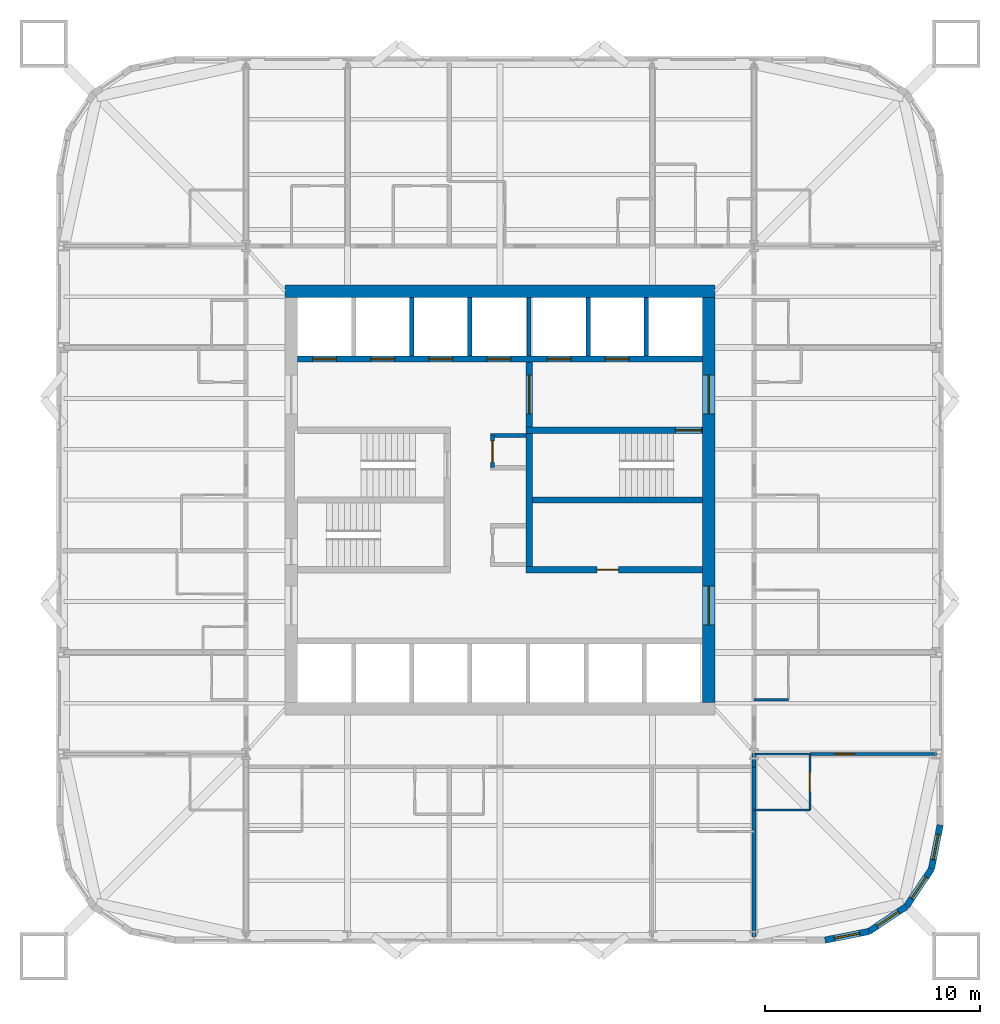
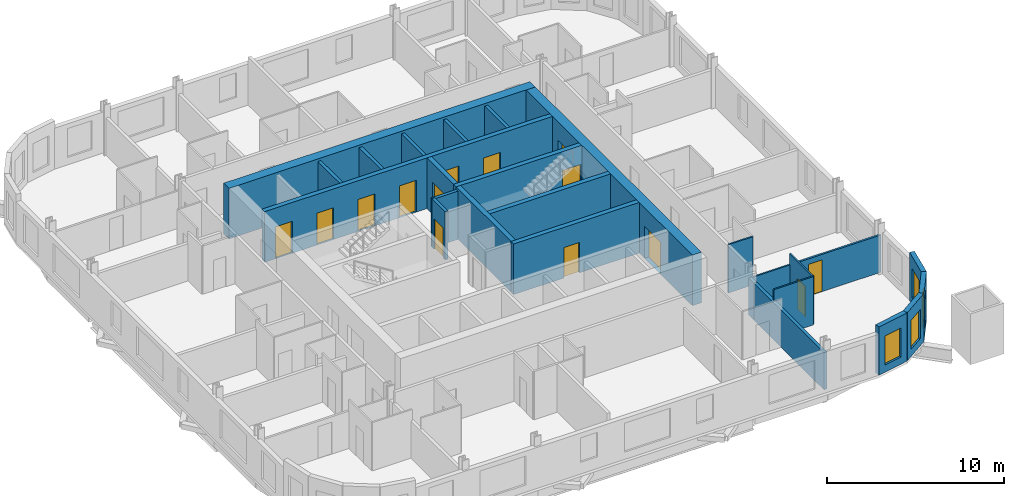
# One storey, part 5 of 9: 25 walls, 14 doors, 4 windows, 18 openings.
"""IFC4 building model written with IfcOpenShell, lengths in metres."""

import ifcopenshell
import ifcopenshell.guid

model = None  # the IFC model being written
_history = None  # IfcOwnerHistory: only IFC2X3 demands one
_inside = {}  # id of a spatial element -> (the spatial element, [elements in it])
_under = {}  # id of a project, library or spatial element -> (it, [spatial elements below it])
_declared = {}  # id of a project -> (the project, [libraries it declares])
_typed = {}  # id of a type object -> (the type object, [elements of that type])
_made_of = {}  # id of a material, layer set ... -> (it, [elements and type objects made of it])


def new_model(schema):
    """Start an empty IFC model of exactly this schema.

    Asked for "IFC4X3", IfcOpenShell would pick the latest addendum, in which some entities
    have other attributes; the version numbers below select the first issue.
    IFC2X3 requires an IfcOwnerHistory on every rooted entity: one is made here for all.
    """
    global model, _history
    if schema == "IFC4X3":
        model = ifcopenshell.file(schema_version=(4, 3, 0, 0))
    else:
        model = ifcopenshell.file(schema=schema)
    _inside.clear()
    _under.clear()
    _declared.clear()
    _typed.clear()
    _made_of.clear()
    _history = None
    if model.schema == "IFC2X3":
        org = make("IfcOrganization", Name="unknown")
        user = make(
            "IfcPersonAndOrganization",
            ThePerson=make("IfcPerson", FamilyName="unknown"),
            TheOrganization=org,
        )
        app = make(
            "IfcApplication",
            ApplicationDeveloper=org,
            Version="unknown",
            ApplicationFullName="unknown",
            ApplicationIdentifier="unknown",
        )
        _history = make(
            "IfcOwnerHistory",
            OwningUser=user,
            OwningApplication=app,
            ChangeAction="ADDED",
            CreationDate=0,
        )
    return model


def make(cls, **values):
    """One entity of the class cls with the attributes given. An attribute that is None is left unset."""
    return model.create_entity(
        cls, **{name: value for name, value in values.items() if value is not None}
    )


def rooted(cls, **values):
    """An entity with a GlobalId (a new one), such as an element, a storey or a relation."""
    return make(cls, GlobalId=ifcopenshell.guid.new(), OwnerHistory=_history, **values)


def si_unit(unit_type, name, prefix=None):
    """IfcSIUnit, for example si_unit("LENGTHUNIT", "METRE", prefix="MILLI")."""
    return make("IfcSIUnit", UnitType=unit_type, Prefix=prefix, Name=name)


def assignment(units):
    """IfcUnitAssignment: the units of a project."""
    return None if units is None else make("IfcUnitAssignment", Units=units)


def point(xyz):
    """IfcCartesianPoint."""
    return None if xyz is None else make("IfcCartesianPoint", Coordinates=xyz)


def direction(xyz):
    """IfcDirection."""
    return None if xyz is None else make("IfcDirection", DirectionRatios=xyz)


def frame(location, z_axis=None, x_axis=None):
    """IfcAxis2Placement3D, a coordinate frame: its origin and axes. An axis left out is left unset."""
    return make(
        "IfcAxis2Placement3D",
        Location=point(location),
        Axis=direction(z_axis),
        RefDirection=direction(x_axis),
    )


def frame_2d(location, x_axis=None):
    """IfcAxis2Placement2D, a coordinate frame in the plane: its origin and x axis."""
    return make(
        "IfcAxis2Placement2D", Location=point(location), RefDirection=direction(x_axis)
    )


def origin():
    """The frame at (0, 0, 0) with its axes left unset."""
    return frame((0.0, 0.0, 0.0))


def place(relative_to, where):
    """IfcLocalPlacement: puts the frame where relative to a parent placement (None: the world)."""
    return make(
        "IfcLocalPlacement", PlacementRelTo=relative_to, RelativePlacement=where
    )


def context(
    kind, dimensions, precision=None, world=None, true_north=None, identifier=None
):
    """IfcGeometricRepresentationContext, for example the 3D "Model" context."""
    return make(
        "IfcGeometricRepresentationContext",
        ContextIdentifier=identifier,
        ContextType=kind,
        CoordinateSpaceDimension=dimensions,
        Precision=precision,
        WorldCoordinateSystem=world,
        TrueNorth=true_north,
    )


def subcontext(parent, identifier, kind, view, scale=None):
    """IfcGeometricRepresentationSubContext, for example "Body" below "Model"."""
    return make(
        "IfcGeometricRepresentationSubContext",
        ContextIdentifier=identifier,
        ContextType=kind,
        ParentContext=parent,
        TargetScale=scale,
        TargetView=view,
    )


def project(units=None, contexts=None):
    """IfcProject with its units and contexts."""
    return rooted(
        "IfcProject",
        Name="project",
        RepresentationContexts=contexts,
        UnitsInContext=assignment(units),
    )


def spatial(cls, under=None, at=None, **own):
    """A site, building, storey or space (cls), placed at a placement, below another one or the project."""
    s = rooted(cls, ObjectPlacement=at, **own)
    if under is not None:
        _under.setdefault(under.id(), (under, []))[1].append(s)
    return s


def profile(cls, at=None, kind="AREA", **sizes):
    """A parametric profile (cls). Its sizes go by their IFC names, for example OverallWidth=200.0."""
    return make(cls, ProfileType=kind, Position=at, **sizes)


def rectangle(**sizes):
    """IfcRectangleProfileDef."""
    return profile("IfcRectangleProfileDef", **sizes)


def extrude(swept, where, along, depth):
    """IfcExtrudedAreaSolid: the profile swept, set in the frame where, extruded along a direction by depth."""
    return make(
        "IfcExtrudedAreaSolid",
        SweptArea=swept,
        Position=where,
        ExtrudedDirection=direction(along),
        Depth=depth,
    )


def shape(context_of_items, identifier, shape_type, items):
    """IfcShapeRepresentation: the items that make up one representation, for example the "Body"."""
    return make(
        "IfcShapeRepresentation",
        ContextOfItems=context_of_items,
        RepresentationIdentifier=identifier,
        RepresentationType=shape_type,
        Items=items,
    )


def material(Name=None, Category=None):
    """IfcMaterial."""
    return make("IfcMaterial", Name=Name, Category=Category)


def layer(
    of_material, thickness, ventilated=None, Name=None, Category=None, Priority=None
):
    """IfcMaterialLayer: one layer of a wall or slab, of a material (None: an air gap)."""
    return make(
        "IfcMaterialLayer",
        Material=of_material,
        LayerThickness=thickness,
        IsVentilated=ventilated,
        Name=Name,
        Category=Category,
        Priority=Priority,
    )


def layer_set(layers, Name=None):
    """IfcMaterialLayerSet."""
    return make("IfcMaterialLayerSet", MaterialLayers=layers, LayerSetName=Name)


def made_of(thing, what):
    """Note that an element or type object is made of a material, layer set ...; save() writes the relation."""
    if what is not None:
        _made_of.setdefault(what.id(), (what, []))[1].append(thing)
    return thing


def type_object(cls, material=None, **own):
    """A type object (cls), such as IfcWallType, which elements share."""
    return made_of(rooted(cls, **own), material)


def element(
    cls,
    number,
    at=None,
    inside=None,
    cuts=None,
    type_object=None,
    material=None,
    context=None,
    identifier="Body",
    shape_type=None,
    held_by="IfcProductDefinitionShape",
    body=None,
    shapes=None,
    **own,
):
    """One element of the class cls, such as IfcWall. Its Tag is "e" and its number.

    at: its placement. inside: the storey or other place that contains it. cuts: it is an
    opening in that element (IfcRelVoidsElement). A single representation is given by context,
    identifier, shape_type and body (its items); several are given by shapes. held_by: the class
    of the entity that holds the representations. save() writes the other relations.
    """
    e = rooted(cls, Tag="e%d" % number, ObjectPlacement=at, **own)
    if body is not None:
        shapes = [shape(context, identifier, shape_type, body)]
    if shapes is not None:
        e.Representation = make(held_by, Representations=shapes)
    if inside is not None:
        _inside.setdefault(inside.id(), (inside, []))[1].append(e)
    if cuts is not None:
        rooted(
            "IfcRelVoidsElement", RelatingBuildingElement=cuts, RelatedOpeningElement=e
        )
    if type_object is not None:
        _typed.setdefault(type_object.id(), (type_object, []))[1].append(e)
    return made_of(e, material)


def fill(opening, filler):
    """IfcRelFillsElement: the door or window that sits in an opening."""
    return rooted(
        "IfcRelFillsElement",
        RelatingOpeningElement=opening,
        RelatedBuildingElement=filler,
    )


def aggregate(whole, parts):
    """IfcRelAggregates: a whole, such as a stair, and the parts it consists of."""
    return rooted("IfcRelAggregates", RelatingObject=whole, RelatedObjects=parts)


def save(model, path):
    """Write the relations noted so far, then the file.

    IfcRelAggregates (storeys below a building ...), IfcRelContainedInSpatialStructure (elements
    in a storey), IfcRelDefinesByType, IfcRelAssociatesMaterial and IfcRelDeclares: one each for
    every whole, place, type object, material and project.
    """
    for whole, parts in _under.values():
        aggregate(whole, parts)
    for where, things in _inside.values():
        rooted(
            "IfcRelContainedInSpatialStructure",
            RelatedElements=things,
            RelatingStructure=where,
        )
    for kind, things in _typed.values():
        rooted("IfcRelDefinesByType", RelatedObjects=things, RelatingType=kind)
    for what, things in _made_of.values():
        rooted("IfcRelAssociatesMaterial", RelatedObjects=things, RelatingMaterial=what)
    for by, libraries in _declared.values():
        rooted("IfcRelDeclares", RelatingContext=by, RelatedDefinitions=libraries)
    model.write(path)


model = new_model("IFC4")

# Units and contexts
model_context = context("Model", 3, precision=1e-05, world=origin(), true_north=direction((0.0, 1.0)))
body_context = subcontext(model_context, "Body", "Model", "MODEL_VIEW")
ifc_project = project(units=[si_unit("LENGTHUNIT", "METRE"), si_unit("AREAUNIT", "SQUARE_METRE"), si_unit("VOLUMEUNIT", "CUBIC_METRE"), si_unit("PLANEANGLEUNIT", "RADIAN"), si_unit("MASSUNIT", "GRAM", prefix="KILO")], contexts=[model_context])

# Site, building, storey
site_placement = place(None, origin())
site = spatial("IfcSite", under=ifc_project, at=site_placement, CompositionType="ELEMENT")
building_placement = place(site_placement, origin())
building = spatial("IfcBuilding", under=site, at=building_placement, Name="Turquesa Mirador Hotel Tower", CompositionType="ELEMENT")
storey_placement = place(building_placement, frame((0.0, 0.0, 131.89990234375)))
storey = spatial("IfcBuildingStorey", under=building, at=storey_placement, Name="L35", CompositionType="ELEMENT", Elevation=131.89990234375)

# Walls
ifc_material_1 = material(Name="Gypsum board on steel studs", Category="steel")
ifc_layer_1 = layer(ifc_material_1, 0.10009765625)
ifc_layer_set_1 = layer_set([ifc_layer_1], Name="BATHROOM WALL 100")
wall_type_1 = type_object("IfcWallType", Name="BATHROOM WALL 100", PredefinedType="PARTITIONING", material=ifc_layer_set_1)
wall_1_placement = place(storey_placement, frame((66.800048828125, 33.199951171875, 0.0), z_axis=(0.0, 0.0, 1.0), x_axis=(1.0, 0.0, 0.0)))
element("IfcWall", 1, at=wall_1_placement, inside=storey, type_object=wall_type_1, Name="Partition L35 002", PredefinedType="PARTITIONING", context=body_context, shape_type="SweptSolid", body=[
    extrude(rectangle(XDim=2.599853515625, YDim=0.10009765625, at=frame_2d((1.2998046875, 0.0))), origin(), (0.0, 0.0, 1.0), 2.5732421875),
])
wall_2_placement = place(storey_placement, frame((66.800048828125, 30.60009765625, 0.0), z_axis=(0.0, 0.0, 1.0), x_axis=(1.0, 0.0, 0.0)))
element("IfcWall", 2, at=wall_2_placement, inside=storey, type_object=wall_type_1, Name="Partition L35 007", PredefinedType="PARTITIONING", context=body_context, shape_type="SweptSolid", body=[
    extrude(rectangle(XDim=2.599853515625, YDim=0.10009765625, at=frame_2d((1.2998046875, 0.0))), origin(), (0.0, 0.0, 1.0), 3.330078125),
])
wall_3_placement = place(storey_placement, frame((66.800048828125, 35.719970703125, 0.0), z_axis=(0.0, 0.0, 1.0), x_axis=(1.0, 0.0, 0.0)))
element("IfcWall", 3, at=wall_3_placement, inside=storey, type_object=wall_type_1, Name="Partition L35 021", PredefinedType="PARTITIONING", context=body_context, shape_type="SweptSolid", body=[
    extrude(rectangle(XDim=1.599853515625, YDim=0.10009765625, at=frame_2d((0.7998046875, 0.0))), origin(), (0.0, 0.0, 1.0), 3.330078125),
])

# Wall, opening, door
wall_4_placement = place(storey_placement, frame((69.39990234375, 30.60009765625, 0.0), z_axis=(0.0, 0.0, 1.0), x_axis=(0.0, 1.0, 0.0)))
wall_4 = element("IfcWall", 4, at=wall_4_placement, inside=storey, type_object=wall_type_1, Name="Partition L35 071", PredefinedType="PARTITIONING", context=body_context, shape_type="SweptSolid", body=[
    extrude(rectangle(XDim=2.599853515625, YDim=0.10009765625, at=frame_2d((1.2998046875, 0.0))), origin(), (0.0, 0.0, 1.0), 3.330078125),
])
opening_1_placement = place(wall_4_placement, frame((0.85009765625, 0.0, 0.0)))
opening_1 = element("IfcOpeningElement", 5, at=opening_1_placement, cuts=wall_4, Name="Opening D02", PredefinedType="OPENING", context=body_context, shape_type="SweptSolid", body=[
    extrude(rectangle(XDim=0.89990234375, YDim=2.10009765625, at=frame_2d((0.449951171875, 1.050048828125))), frame((0.0, 0.06005859375, 0.0), z_axis=(0.0, -1.0, 0.0), x_axis=(1.0, 0.0, 0.0)), (0.0, 0.0, 1.0), 0.1201171875),
])
ifc_material_2 = material(Name="Timber veneered door", Category="wood")
door_type_1 = type_object("IfcDoorType", Name="DOOR 900X2100 EN-SUITE", OperationType="SINGLE_SWING_RIGHT", PredefinedType="DOOR", material=ifc_material_2)
door_1_placement = place(opening_1_placement, origin())
door_1 = element("IfcDoor", 6, at=door_1_placement, inside=storey, type_object=door_type_1, Name="Door 3514B", OperationType="SINGLE_SWING_RIGHT", OverallHeight=2.10009765625, OverallWidth=0.89990234375, PredefinedType="DOOR", context=body_context, shape_type="SweptSolid", body=[
    extrude(rectangle(XDim=0.89990234375, YDim=2.10009765625, at=frame_2d((0.449951171875, 1.050048828125))), frame((0.0, 0.02490234375, 0.0), z_axis=(0.0, -1.0, 0.0), x_axis=(1.0, 0.0, 0.0)), (0.0, 0.0, 1.0), 0.050048828125),
])
fill(opening_1, door_1)

# Wall, openings, doors
ifc_material_3 = material(Name="Concrete C50/60", Category="concrete")
ifc_layer_2 = layer(ifc_material_3, 0.300048828125)
ifc_layer_set_2 = layer_set([ifc_layer_2], Name="CORE INNER WALL 300")
wall_type_2 = type_object("IfcWallType", Name="CORE INNER WALL 300", PredefinedType="SHEAR", material=ifc_layer_set_2)
wall_5_placement = place(storey_placement, frame((45.60009765625, 51.550048828125, 0.0), z_axis=(0.0, 0.0, 1.0), x_axis=(1.0, 0.0, 0.0)))
wall_5 = element("IfcWall", 7, at=wall_5_placement, inside=storey, type_object=wall_type_2, Name="Core wall NL", PredefinedType="SHEAR", context=body_context, shape_type="SweptSolid", body=[
    extrude(rectangle(XDim=18.7998046875, YDim=0.300048828125, at=frame_2d((9.39990234375, 0.0))), origin(), (0.0, 0.0, 1.0), 3.5),
])
opening_2_placement = place(wall_5_placement, frame((0.699951171875, 0.0, 0.0)))
opening_2 = element("IfcOpeningElement", 8, at=opening_2_placement, cuts=wall_5, Name="Opening LD", PredefinedType="OPENING", context=body_context, shape_type="SweptSolid", body=[
    extrude(rectangle(XDim=1.10009765625, YDim=2.199951171875, at=frame_2d((0.550048828125, 1.10009765625))), frame((0.0, 0.159912109375, 0.0), z_axis=(0.0, -1.0, 0.0), x_axis=(1.0, 0.0, 0.0)), (0.0, 0.0, 1.0), 0.320068359375),
])
opening_3_placement = place(wall_5_placement, frame((3.39990234375, 0.0, 0.0)))
opening_3 = element("IfcOpeningElement", 9, at=opening_3_placement, cuts=wall_5, Name="Opening LD", PredefinedType="OPENING", context=body_context, shape_type="SweptSolid", body=[
    extrude(rectangle(XDim=1.10009765625, YDim=2.199951171875, at=frame_2d((0.550048828125, 1.10009765625))), frame((0.0, 0.159912109375, 0.0), z_axis=(0.0, -1.0, 0.0), x_axis=(1.0, 0.0, 0.0)), (0.0, 0.0, 1.0), 0.320068359375),
])
opening_4_placement = place(wall_5_placement, frame((6.10009765625, 0.0, 0.0)))
opening_4 = element("IfcOpeningElement", 10, at=opening_4_placement, cuts=wall_5, Name="Opening LD", PredefinedType="OPENING", context=body_context, shape_type="SweptSolid", body=[
    extrude(rectangle(XDim=1.10009765625, YDim=2.199951171875, at=frame_2d((0.550048828125, 1.10009765625))), frame((0.0, 0.159912109375, 0.0), z_axis=(0.0, -1.0, 0.0), x_axis=(1.0, 0.0, 0.0)), (0.0, 0.0, 1.0), 0.320068359375),
])
opening_5_placement = place(wall_5_placement, frame((8.800048828125, 0.0, 0.0)))
opening_5 = element("IfcOpeningElement", 11, at=opening_5_placement, cuts=wall_5, Name="Opening LD", PredefinedType="OPENING", context=body_context, shape_type="SweptSolid", body=[
    extrude(rectangle(XDim=1.10009765625, YDim=2.199951171875, at=frame_2d((0.550048828125, 1.10009765625))), frame((0.0, 0.159912109375, 0.0), z_axis=(0.0, -1.0, 0.0), x_axis=(1.0, 0.0, 0.0)), (0.0, 0.0, 1.0), 0.320068359375),
])
opening_6_placement = place(wall_5_placement, frame((11.60009765625, 0.0, 0.0)))
opening_6 = element("IfcOpeningElement", 12, at=opening_6_placement, cuts=wall_5, Name="Opening LD", PredefinedType="OPENING", context=body_context, shape_type="SweptSolid", body=[
    extrude(rectangle(XDim=1.10009765625, YDim=2.199951171875, at=frame_2d((0.550048828125, 1.10009765625))), frame((0.0, 0.159912109375, 0.0), z_axis=(0.0, -1.0, 0.0), x_axis=(1.0, 0.0, 0.0)), (0.0, 0.0, 1.0), 0.320068359375),
])
opening_7_placement = place(wall_5_placement, frame((14.300048828125, 0.0, 0.0)))
opening_7 = element("IfcOpeningElement", 13, at=opening_7_placement, cuts=wall_5, Name="Opening LD", PredefinedType="OPENING", context=body_context, shape_type="SweptSolid", body=[
    extrude(rectangle(XDim=1.10009765625, YDim=2.199951171875, at=frame_2d((0.550048828125, 1.10009765625))), frame((0.0, 0.159912109375, 0.0), z_axis=(0.0, -1.0, 0.0), x_axis=(1.0, 0.0, 0.0)), (0.0, 0.0, 1.0), 0.320068359375),
])
ifc_material_4 = material(Name="Stainless steel lift landing door", Category="steel")
door_type_2 = type_object("IfcDoorType", Name="LIFT LANDING DOOR 1100X2200", OperationType="SLIDING_TO_LEFT", PredefinedType="DOOR", material=ifc_material_4)
door_2_placement = place(opening_2_placement, origin())
door_2 = element("IfcDoor", 14, at=door_2_placement, inside=storey, type_object=door_type_2, Name="Lift A1 landing door", OperationType="SLIDING_TO_LEFT", OverallHeight=2.199951171875, OverallWidth=1.10009765625, PredefinedType="DOOR", context=body_context, shape_type="SweptSolid", body=[
    extrude(rectangle(XDim=1.10009765625, YDim=2.199951171875, at=frame_2d((0.550048828125, 1.10009765625))), frame((0.0, 0.02490234375, 0.0), z_axis=(0.0, -1.0, 0.0), x_axis=(1.0, 0.0, 0.0)), (0.0, 0.0, 1.0), 0.050048828125),
])
fill(opening_2, door_2)
door_3_placement = place(opening_3_placement, origin())
door_3 = element("IfcDoor", 15, at=door_3_placement, inside=storey, type_object=door_type_2, Name="Lift A2 landing door", OperationType="SLIDING_TO_LEFT", OverallHeight=2.199951171875, OverallWidth=1.10009765625, PredefinedType="DOOR", context=body_context, shape_type="SweptSolid", body=[
    extrude(rectangle(XDim=1.10009765625, YDim=2.199951171875, at=frame_2d((0.550048828125, 1.10009765625))), frame((0.0, 0.02490234375, 0.0), z_axis=(0.0, -1.0, 0.0), x_axis=(1.0, 0.0, 0.0)), (0.0, 0.0, 1.0), 0.050048828125),
])
fill(opening_3, door_3)
door_4_placement = place(opening_4_placement, origin())
door_4 = element("IfcDoor", 16, at=door_4_placement, inside=storey, type_object=door_type_2, Name="Lift A3 landing door", OperationType="SLIDING_TO_LEFT", OverallHeight=2.199951171875, OverallWidth=1.10009765625, PredefinedType="DOOR", context=body_context, shape_type="SweptSolid", body=[
    extrude(rectangle(XDim=1.10009765625, YDim=2.199951171875, at=frame_2d((0.550048828125, 1.10009765625))), frame((0.0, 0.02490234375, 0.0), z_axis=(0.0, -1.0, 0.0), x_axis=(1.0, 0.0, 0.0)), (0.0, 0.0, 1.0), 0.050048828125),
])
fill(opening_4, door_4)
door_5_placement = place(opening_5_placement, origin())
door_5 = element("IfcDoor", 17, at=door_5_placement, inside=storey, type_object=door_type_2, Name="Lift A4 landing door", OperationType="SLIDING_TO_LEFT", OverallHeight=2.199951171875, OverallWidth=1.10009765625, PredefinedType="DOOR", context=body_context, shape_type="SweptSolid", body=[
    extrude(rectangle(XDim=1.10009765625, YDim=2.199951171875, at=frame_2d((0.550048828125, 1.10009765625))), frame((0.0, 0.02490234375, 0.0), z_axis=(0.0, -1.0, 0.0), x_axis=(1.0, 0.0, 0.0)), (0.0, 0.0, 1.0), 0.050048828125),
])
fill(opening_5, door_5)
door_6_placement = place(opening_6_placement, origin())
door_6 = element("IfcDoor", 18, at=door_6_placement, inside=storey, type_object=door_type_2, Name="Lift S1 landing door", OperationType="SLIDING_TO_LEFT", OverallHeight=2.199951171875, OverallWidth=1.10009765625, PredefinedType="DOOR", context=body_context, shape_type="SweptSolid", body=[
    extrude(rectangle(XDim=1.10009765625, YDim=2.199951171875, at=frame_2d((0.550048828125, 1.10009765625))), frame((0.0, 0.02490234375, 0.0), z_axis=(0.0, -1.0, 0.0), x_axis=(1.0, 0.0, 0.0)), (0.0, 0.0, 1.0), 0.050048828125),
])
fill(opening_6, door_6)
door_7_placement = place(opening_7_placement, origin())
door_7 = element("IfcDoor", 19, at=door_7_placement, inside=storey, type_object=door_type_2, Name="Lift S2 landing door", OperationType="SLIDING_TO_LEFT", OverallHeight=2.199951171875, OverallWidth=1.10009765625, PredefinedType="DOOR", context=body_context, shape_type="SweptSolid", body=[
    extrude(rectangle(XDim=1.10009765625, YDim=2.199951171875, at=frame_2d((0.550048828125, 1.10009765625))), frame((0.0, 0.02490234375, 0.0), z_axis=(0.0, -1.0, 0.0), x_axis=(1.0, 0.0, 0.0)), (0.0, 0.0, 1.0), 0.050048828125),
])
fill(opening_7, door_7)

# Wall, opening, door
wall_6_placement = place(storey_placement, frame((56.199951171875, 48.25, 0.0), z_axis=(0.0, 0.0, 1.0), x_axis=(1.0, 0.0, 0.0)))
wall_6 = element("IfcWall", 20, at=wall_6_placement, inside=storey, type_object=wall_type_2, Name="Core wall MN-E", PredefinedType="SHEAR", context=body_context, shape_type="SweptSolid", body=[
    extrude(rectangle(XDim=8.199951171875, YDim=0.300048828125, at=frame_2d((4.10009765625, 0.0))), origin(), (0.0, 0.0, 1.0), 3.5),
])
opening_8_placement = place(wall_6_placement, frame((6.949951171875, 0.0, 0.0)))
opening_8 = element("IfcOpeningElement", 21, at=opening_8_placement, cuts=wall_6, Name="Opening D03", PredefinedType="OPENING", context=body_context, shape_type="SweptSolid", body=[
    extrude(rectangle(XDim=1.199951171875, YDim=2.199951171875, at=frame_2d((0.60009765625, 1.10009765625))), frame((0.0, 0.159912109375, 0.0), z_axis=(0.0, -1.0, 0.0), x_axis=(1.0, 0.0, 0.0)), (0.0, 0.0, 1.0), 0.320068359375),
])
ifc_material_5 = material(Name="Steel fire door", Category="steel")
door_type_3 = type_object("IfcDoorType", Name="DOOR 1200X2200 STAIR", OperationType="SINGLE_SWING_LEFT", PredefinedType="DOOR", material=ifc_material_5)
door_8_placement = place(opening_8_placement, origin())
door_8 = element("IfcDoor", 22, at=door_8_placement, inside=storey, type_object=door_type_3, Name="Stair ST3 door", OperationType="SINGLE_SWING_LEFT", OverallHeight=2.199951171875, OverallWidth=1.199951171875, PredefinedType="DOOR", context=body_context, shape_type="SweptSolid", body=[
    extrude(rectangle(XDim=1.199951171875, YDim=2.199951171875, at=frame_2d((0.60009765625, 1.10009765625))), frame((0.0, 0.02490234375, 0.0), z_axis=(0.0, -1.0, 0.0), x_axis=(1.0, 0.0, 0.0)), (0.0, 0.0, 1.0), 0.050048828125),
])
fill(opening_8, door_8)

wall_7_placement = place(storey_placement, frame((56.199951171875, 41.75, 0.0), z_axis=(0.0, 0.0, 1.0), x_axis=(1.0, 0.0, 0.0)))
wall_7 = element("IfcWall", 23, at=wall_7_placement, inside=storey, type_object=wall_type_2, Name="Core wall MS-E", PredefinedType="SHEAR", context=body_context, shape_type="SweptSolid", body=[
    extrude(rectangle(XDim=8.199951171875, YDim=0.300048828125, at=frame_2d((4.10009765625, 0.0))), origin(), (0.0, 0.0, 1.0), 3.5),
])
opening_9_placement = place(wall_7_placement, frame((3.300048828125, 0.0, 0.0)))
opening_9 = element("IfcOpeningElement", 24, at=opening_9_placement, cuts=wall_7, Name="Opening D05", PredefinedType="OPENING", context=body_context, shape_type="SweptSolid", body=[
    extrude(rectangle(XDim=1.0, YDim=2.10009765625, at=frame_2d((0.5, 1.050048828125))), frame((0.0, 0.159912109375, 0.0), z_axis=(0.0, -1.0, 0.0), x_axis=(1.0, 0.0, 0.0)), (0.0, 0.0, 1.0), 0.320068359375),
])
ifc_material_6 = material(Name="Steel fire door", Category="steel")
door_type_4 = type_object("IfcDoorType", Name="DOOR 1000X2100 SERVICE", OperationType="SINGLE_SWING_LEFT", PredefinedType="DOOR", material=ifc_material_6)
door_9_placement = place(opening_9_placement, origin())
door_9 = element("IfcDoor", 25, at=door_9_placement, inside=storey, type_object=door_type_4, Name="Housekeeping room door", OperationType="SINGLE_SWING_LEFT", OverallHeight=2.10009765625, OverallWidth=1.0, PredefinedType="DOOR", context=body_context, shape_type="SweptSolid", body=[
    extrude(rectangle(XDim=1.0, YDim=2.10009765625, at=frame_2d((0.5, 1.050048828125))), frame((0.0, 0.02490234375, 0.0), z_axis=(0.0, -1.0, 0.0), x_axis=(1.0, 0.0, 0.0)), (0.0, 0.0, 1.0), 0.050048828125),
])
fill(opening_9, door_9)

wall_8_placement = place(storey_placement, frame((56.35009765625, 41.89990234375, 0.0), z_axis=(0.0, 0.0, 1.0), x_axis=(0.0, 1.0, 0.0)))
wall_8 = element("IfcWall", 26, at=wall_8_placement, inside=storey, type_object=wall_type_2, Name="Core wall PE", PredefinedType="SHEAR", context=body_context, shape_type="SweptSolid", body=[
    extrude(rectangle(XDim=9.5, YDim=0.300048828125, at=frame_2d((4.75, 0.0))), origin(), (0.0, 0.0, 1.0), 3.5),
])
opening_10_placement = place(wall_8_placement, frame((7.10009765625, 0.0, 0.0)))
opening_10 = element("IfcOpeningElement", 27, at=opening_10_placement, cuts=wall_8, Name="Opening D04", PredefinedType="OPENING", context=body_context, shape_type="SweptSolid", body=[
    extrude(rectangle(XDim=1.800048828125, YDim=2.199951171875, at=frame_2d((0.89990234375, 1.10009765625))), frame((0.0, 0.159912109375, 0.0), z_axis=(0.0, -1.0, 0.0), x_axis=(1.0, 0.0, 0.0)), (0.0, 0.0, 1.0), 0.320068359375),
])
ifc_material_7 = material(Name="Steel fire door pair", Category="steel")
door_type_5 = type_object("IfcDoorType", Name="DOOR 1800X2200 PAIR", OperationType="DOUBLE_DOOR_SINGLE_SWING", PredefinedType="DOOR", material=ifc_material_7)
door_10_placement = place(opening_10_placement, origin())
door_10 = element("IfcDoor", 28, at=door_10_placement, inside=storey, type_object=door_type_5, Name="Firefighting lobby inner door", OperationType="DOUBLE_DOOR_SINGLE_SWING", OverallHeight=2.199951171875, OverallWidth=1.800048828125, PredefinedType="DOOR", context=body_context, shape_type="SweptSolid", body=[
    extrude(rectangle(XDim=1.800048828125, YDim=2.199951171875, at=frame_2d((0.89990234375, 1.10009765625))), frame((0.0, 0.02490234375, 0.0), z_axis=(0.0, -1.0, 0.0), x_axis=(1.0, 0.0, 0.0)), (0.0, 0.0, 1.0), 0.050048828125),
])
fill(opening_10, door_10)

# Walls
wall_9_placement = place(storey_placement, frame((56.5, 45.0, 0.0), z_axis=(0.0, 0.0, 1.0), x_axis=(1.0, 0.0, 0.0)))
element("IfcWall", 29, at=wall_9_placement, inside=storey, type_object=wall_type_2, Name="Core wall M0-E", PredefinedType="SHEAR", context=body_context, shape_type="SweptSolid", body=[
    extrude(rectangle(XDim=7.89990234375, YDim=0.300048828125, at=frame_2d((3.949951171875, 0.0))), origin(), (0.0, 0.0, 1.0), 3.5),
])
ifc_material_8 = material(Name="Concrete C50/60", Category="concrete")
ifc_layer_3 = layer(ifc_material_8, 0.60009765625)
ifc_layer_set_3 = layer_set([ifc_layer_3], Name="CORE WALL 600")
wall_type_3 = type_object("IfcWallType", Name="CORE WALL 600", PredefinedType="SHEAR", material=ifc_layer_set_3)
wall_10_placement = place(storey_placement, frame((45.0, 54.699951171875, 0.0), z_axis=(0.0, 0.0, 1.0), x_axis=(1.0, 0.0, 0.0)))
element("IfcWall", 30, at=wall_10_placement, inside=storey, type_object=wall_type_3, Name="Core wall N", PredefinedType="SHEAR", context=body_context, shape_type="SweptSolid", body=[
    extrude(rectangle(XDim=20.0, YDim=0.60009765625, at=frame_2d((10.0, 0.0))), origin(), (0.0, 0.0, 1.0), 3.5),
])

# Wall, openings, doors
wall_11_placement = place(storey_placement, frame((64.699951171875, 35.60009765625, 0.0), z_axis=(0.0, 0.0, 1.0), x_axis=(0.0, 1.0, 0.0)))
wall_11 = element("IfcWall", 31, at=wall_11_placement, inside=storey, type_object=wall_type_3, Name="Core wall E", PredefinedType="SHEAR", context=body_context, shape_type="SweptSolid", body=[
    extrude(rectangle(XDim=18.7998046875, YDim=0.60009765625, at=frame_2d((9.39990234375, 0.0))), origin(), (0.0, 0.0, 1.0), 3.5),
])
opening_11_placement = place(wall_11_placement, frame((13.39990234375, 0.0, 0.0)))
opening_11 = element("IfcOpeningElement", 32, at=opening_11_placement, cuts=wall_11, Name="Opening D04", PredefinedType="OPENING", context=body_context, shape_type="SweptSolid", body=[
    extrude(rectangle(XDim=1.800048828125, YDim=2.199951171875, at=frame_2d((0.89990234375, 1.10009765625))), frame((0.0, 0.31005859375, 0.0), z_axis=(0.0, -1.0, 0.0), x_axis=(1.0, 0.0, 0.0)), (0.0, 0.0, 1.0), 0.6201171875),
])
opening_12_placement = place(wall_11_placement, frame((3.60009765625, 0.0, 0.0)))
opening_12 = element("IfcOpeningElement", 33, at=opening_12_placement, cuts=wall_11, Name="Opening D04", PredefinedType="OPENING", context=body_context, shape_type="SweptSolid", body=[
    extrude(rectangle(XDim=1.800048828125, YDim=2.199951171875, at=frame_2d((0.89990234375, 1.10009765625))), frame((0.0, 0.31005859375, 0.0), z_axis=(0.0, -1.0, 0.0), x_axis=(1.0, 0.0, 0.0)), (0.0, 0.0, 1.0), 0.6201171875),
])
door_11_placement = place(opening_11_placement, origin())
door_11 = element("IfcDoor", 34, at=door_11_placement, inside=storey, type_object=door_type_5, Name="Firefighting lobby door", OperationType="DOUBLE_DOOR_SINGLE_SWING", OverallHeight=2.199951171875, OverallWidth=1.800048828125, PredefinedType="DOOR", context=body_context, shape_type="SweptSolid", body=[
    extrude(rectangle(XDim=1.800048828125, YDim=2.199951171875, at=frame_2d((0.89990234375, 1.10009765625))), frame((0.0, 0.02490234375, 0.0), z_axis=(0.0, -1.0, 0.0), x_axis=(1.0, 0.0, 0.0)), (0.0, 0.0, 1.0), 0.050048828125),
])
fill(opening_11, door_11)
door_12_placement = place(opening_12_placement, origin())
door_12 = element("IfcDoor", 35, at=door_12_placement, inside=storey, type_object=door_type_5, Name="South lift lobby door", OperationType="DOUBLE_DOOR_SINGLE_SWING", OverallHeight=2.199951171875, OverallWidth=1.800048828125, PredefinedType="DOOR", context=body_context, shape_type="SweptSolid", body=[
    extrude(rectangle(XDim=1.800048828125, YDim=2.199951171875, at=frame_2d((0.89990234375, 1.10009765625))), frame((0.0, 0.02490234375, 0.0), z_axis=(0.0, -1.0, 0.0), x_axis=(1.0, 0.0, 0.0)), (0.0, 0.0, 1.0), 0.050048828125),
])
fill(opening_12, door_12)

# Wall
ifc_material_9 = material(Name="Fire-rated gypsum board on steel studs", Category="steel")
ifc_layer_4 = layer(ifc_material_9, 0.199951171875)
ifc_layer_set_4 = layer_set([ifc_layer_4], Name="CORRIDOR WALL 200")
wall_type_4 = type_object("IfcWallType", Name="CORRIDOR WALL 200", PredefinedType="PARTITIONING", material=ifc_layer_set_4)
wall_12_placement = place(storey_placement, frame((66.800048828125, 32.60009765625, 0.0), z_axis=(0.0, 0.0, 1.0), x_axis=(0.0, 1.0, 0.0)))
element("IfcWall", 36, at=wall_12_placement, inside=storey, type_object=wall_type_4, Name="Partition L35 081", PredefinedType="PARTITIONING", context=body_context, shape_type="SweptSolid", body=[
    extrude(rectangle(XDim=0.619873046875, YDim=0.199951171875, at=frame_2d((0.31005859375, 0.0))), origin(), (0.0, 0.0, 1.0), 2.5732421875),
])

# Wall, opening, window
ifc_material_10 = material(Name="Limestone cladding on concrete block", Category="masonry")
ifc_layer_5 = layer(ifc_material_10, 0.300048828125)
ifc_layer_set_5 = layer_set([ifc_layer_5], Name="FACADE WALL 300 STONE SCREEN")
wall_type_5 = type_object("IfcWallType", Name="FACADE WALL 300 STONE SCREEN", PredefinedType="SOLIDWALL", material=ifc_layer_set_5)
wall_13_placement = place(storey_placement, frame((70.10009765625, 24.550048828125, 0.0), z_axis=(0.0, 0.0, 1.0), x_axis=(0.980787050784, 0.195081421501, 0.0)))
wall_13 = element("IfcWall", 37, at=wall_13_placement, inside=storey, type_object=wall_type_5, Name="Facade wall L35 00", PredefinedType="SOLIDWALL", context=body_context, shape_type="SweptSolid", body=[
    extrude(rectangle(XDim=2.08740234375, YDim=0.300048828125, at=frame_2d((1.043701171875, 0.0))), origin(), (0.0, 0.0, 1.0), 3.330078125),
])
opening_13_placement = place(wall_13_placement, frame((0.443603515625, 0.0, 0.5)))
opening_13 = element("IfcOpeningElement", 38, at=opening_13_placement, cuts=wall_13, Name="Opening WN4", PredefinedType="OPENING", context=body_context, shape_type="SweptSolid", body=[
    extrude(rectangle(XDim=1.199951171875, YDim=2.0, at=frame_2d((0.60009765625, 1.0))), frame((0.0, 0.159912109375, 0.0), z_axis=(0.0, -1.0, 0.0), x_axis=(1.0, 0.0, 0.0)), (0.0, 0.0, 1.0), 0.320068359375),
])
ifc_material_11 = material(Name="Ceramic-fritted laminated glass", Category="glass")
window_type = type_object("IfcWindowType", Name="FRITTED CORNER WINDOW 1200X2000", PartitioningType="DOUBLE_PANEL_HORIZONTAL", PredefinedType="WINDOW", material=ifc_material_11)
window_1_placement = place(opening_13_placement, origin())
window_1 = element("IfcWindow", 39, at=window_1_placement, inside=storey, type_object=window_type, Name="Window L35", OverallHeight=2.0, OverallWidth=1.199951171875, PartitioningType="SINGLE_PANEL", PredefinedType="WINDOW", context=body_context, shape_type="SweptSolid", body=[
    extrude(rectangle(XDim=1.199951171875, YDim=2.0, at=frame_2d((0.60009765625, 1.0))), frame((0.0, 0.030029296875, 0.0), z_axis=(0.0, -1.0, 0.0), x_axis=(1.0, 0.0, 0.0)), (0.0, 0.0, 1.0), 0.06005859375),
])
fill(opening_13, window_1)

wall_14_placement = place(storey_placement, frame((72.1474609375, 24.957275390625, 0.0), z_axis=(0.0, 0.0, 1.0), x_axis=(0.831474039234, 0.555563607591, 0.0)))
wall_14 = element("IfcWall", 40, at=wall_14_placement, inside=storey, type_object=wall_type_5, Name="Facade wall L35 01", PredefinedType="SOLIDWALL", context=body_context, shape_type="SweptSolid", body=[
    extrude(rectangle(XDim=2.08740234375, YDim=0.300048828125, at=frame_2d((1.043701171875, 0.0))), origin(), (0.0, 0.0, 1.0), 3.330078125),
])
opening_14_placement = place(wall_14_placement, frame((0.443603515625, 0.0, 0.5)))
opening_14 = element("IfcOpeningElement", 41, at=opening_14_placement, cuts=wall_14, Name="Opening WN4", PredefinedType="OPENING", context=body_context, shape_type="SweptSolid", body=[
    extrude(rectangle(XDim=1.199951171875, YDim=2.0, at=frame_2d((0.60009765625, 1.0))), frame((0.0, 0.159912109375, 0.0), z_axis=(0.0, -1.0, 0.0), x_axis=(1.0, 0.0, 0.0)), (0.0, 0.0, 1.0), 0.320068359375),
])
window_2_placement = place(opening_14_placement, origin())
window_2 = element("IfcWindow", 42, at=window_2_placement, inside=storey, type_object=window_type, Name="Window L35", OverallHeight=2.0, OverallWidth=1.199951171875, PartitioningType="SINGLE_PANEL", PredefinedType="WINDOW", context=body_context, shape_type="SweptSolid", body=[
    extrude(rectangle(XDim=1.199951171875, YDim=2.0, at=frame_2d((0.60009765625, 1.0))), frame((0.0, 0.030029296875, 0.0), z_axis=(0.0, -1.0, 0.0), x_axis=(1.0, 0.0, 0.0)), (0.0, 0.0, 1.0), 0.06005859375),
])
fill(opening_14, window_2)

wall_15_placement = place(storey_placement, frame((73.883056640625, 26.116943359375, 0.0), z_axis=(0.0, 0.0, 1.0), x_axis=(0.555563607591, 0.831474039234, 0.0)))
wall_15 = element("IfcWall", 43, at=wall_15_placement, inside=storey, type_object=wall_type_5, Name="Facade wall L35 02", PredefinedType="SOLIDWALL", context=body_context, shape_type="SweptSolid", body=[
    extrude(rectangle(XDim=2.08740234375, YDim=0.300048828125, at=frame_2d((1.043701171875, 0.0))), origin(), (0.0, 0.0, 1.0), 3.330078125),
])
opening_15_placement = place(wall_15_placement, frame((0.443603515625, 0.0, 0.5)))
opening_15 = element("IfcOpeningElement", 44, at=opening_15_placement, cuts=wall_15, Name="Opening WN4", PredefinedType="OPENING", context=body_context, shape_type="SweptSolid", body=[
    extrude(rectangle(XDim=1.199951171875, YDim=2.0, at=frame_2d((0.60009765625, 1.0))), frame((0.0, 0.159912109375, 0.0), z_axis=(0.0, -1.0, 0.0), x_axis=(1.0, 0.0, 0.0)), (0.0, 0.0, 1.0), 0.320068359375),
])
window_3_placement = place(opening_15_placement, origin())
window_3 = element("IfcWindow", 45, at=window_3_placement, inside=storey, type_object=window_type, Name="Window L35", OverallHeight=2.0, OverallWidth=1.199951171875, PartitioningType="SINGLE_PANEL", PredefinedType="WINDOW", context=body_context, shape_type="SweptSolid", body=[
    extrude(rectangle(XDim=1.199951171875, YDim=2.0, at=frame_2d((0.60009765625, 1.0))), frame((0.0, 0.030029296875, 0.0), z_axis=(0.0, -1.0, 0.0), x_axis=(1.0, 0.0, 0.0)), (0.0, 0.0, 1.0), 0.06005859375),
])
fill(opening_15, window_3)

wall_16_placement = place(storey_placement, frame((75.042724609375, 27.8525390625, 0.0), z_axis=(0.0, 0.0, 1.0), x_axis=(0.195081421501, 0.980787050784, 0.0)))
wall_16 = element("IfcWall", 46, at=wall_16_placement, inside=storey, type_object=wall_type_5, Name="Facade wall L35 03", PredefinedType="SOLIDWALL", context=body_context, shape_type="SweptSolid", body=[
    extrude(rectangle(XDim=2.08740234375, YDim=0.300048828125, at=frame_2d((1.043701171875, 0.0))), origin(), (0.0, 0.0, 1.0), 3.330078125),
])
opening_16_placement = place(wall_16_placement, frame((0.443603515625, 0.0, 0.5)))
opening_16 = element("IfcOpeningElement", 47, at=opening_16_placement, cuts=wall_16, Name="Opening WN4", PredefinedType="OPENING", context=body_context, shape_type="SweptSolid", body=[
    extrude(rectangle(XDim=1.199951171875, YDim=2.0, at=frame_2d((0.60009765625, 1.0))), frame((0.0, 0.159912109375, 0.0), z_axis=(0.0, -1.0, 0.0), x_axis=(1.0, 0.0, 0.0)), (0.0, 0.0, 1.0), 0.320068359375),
])
window_4_placement = place(opening_16_placement, origin())
window_4 = element("IfcWindow", 48, at=window_4_placement, inside=storey, type_object=window_type, Name="Window L35", OverallHeight=2.0, OverallWidth=1.199951171875, PartitioningType="SINGLE_PANEL", PredefinedType="WINDOW", context=body_context, shape_type="SweptSolid", body=[
    extrude(rectangle(XDim=1.199951171875, YDim=2.0, at=frame_2d((0.60009765625, 1.0))), frame((0.0, 0.030029296875, 0.0), z_axis=(0.0, -1.0, 0.0), x_axis=(1.0, 0.0, 0.0)), (0.0, 0.0, 1.0), 0.06005859375),
])
fill(opening_16, window_4)

# Wall, opening, door
ifc_material_12 = material(Name="Fire-rated gypsum board on steel studs", Category="steel")
ifc_layer_6 = layer(ifc_material_12, 0.199951171875)
ifc_layer_set_6 = layer_set([ifc_layer_6], Name="FIRE PARTITION 200")
wall_type_6 = type_object("IfcWallType", Name="FIRE PARTITION 200", PredefinedType="PARTITIONING", material=ifc_layer_set_6)
wall_17_placement = place(storey_placement, frame((54.64990234375, 46.5, 0.0), z_axis=(0.0, 0.0, 1.0), x_axis=(0.0, 1.0, 0.0)))
wall_17 = element("IfcWall", 49, at=wall_17_placement, inside=storey, type_object=wall_type_6, Name="Partition L35 CL W", PredefinedType="PARTITIONING", context=body_context, shape_type="SweptSolid", body=[
    extrude(rectangle(XDim=1.5, YDim=0.199951171875, at=frame_2d((0.75, 0.0))), origin(), (0.0, 0.0, 1.0), 3.330078125),
])
opening_17_placement = place(wall_17_placement, frame((0.25, 0.0, 0.0)))
opening_17 = element("IfcOpeningElement", 50, at=opening_17_placement, cuts=wall_17, Name="Opening D05", PredefinedType="OPENING", context=body_context, shape_type="SweptSolid", body=[
    extrude(rectangle(XDim=1.0, YDim=2.10009765625, at=frame_2d((0.5, 1.050048828125))), frame((0.0, 0.10986328125, 0.0), z_axis=(0.0, -1.0, 0.0), x_axis=(1.0, 0.0, 0.0)), (0.0, 0.0, 1.0), 0.219970703125),
])
door_13_placement = place(opening_17_placement, origin())
door_13 = element("IfcDoor", 51, at=door_13_placement, inside=storey, type_object=door_type_4, Name="Cleaner's cupboard door", OperationType="SINGLE_SWING_LEFT", OverallHeight=2.10009765625, OverallWidth=1.0, PredefinedType="DOOR", context=body_context, shape_type="SweptSolid", body=[
    extrude(rectangle(XDim=1.0, YDim=2.10009765625, at=frame_2d((0.5, 1.050048828125))), frame((0.0, 0.02490234375, 0.0), z_axis=(0.0, -1.0, 0.0), x_axis=(1.0, 0.0, 0.0)), (0.0, 0.0, 1.0), 0.050048828125),
])
fill(opening_17, door_13)

# Walls
wall_18_placement = place(storey_placement, frame((54.550048828125, 48.0, 0.0), z_axis=(0.0, 0.0, 1.0), x_axis=(1.0, 0.0, 0.0)))
element("IfcWall", 52, at=wall_18_placement, inside=storey, type_object=wall_type_6, Name="Partition L35 CL N", PredefinedType="PARTITIONING", context=body_context, shape_type="SweptSolid", body=[
    extrude(rectangle(XDim=1.64990234375, YDim=0.199951171875, at=frame_2d((0.824951171875, 0.0))), origin(), (0.0, 0.0, 1.0), 3.330078125),
])
ifc_material_13 = material(Name="Fire-rated gypsum shaft wall on steel studs", Category="steel")
ifc_layer_7 = layer(ifc_material_13, 0.199951171875)
ifc_layer_set_7 = layer_set([ifc_layer_7], Name="LIFT SHAFT DIVIDER 200")
wall_type_7 = type_object("IfcWallType", Name="LIFT SHAFT DIVIDER 200", PredefinedType="PARTITIONING", material=ifc_layer_set_7)
for number, where, z_axis, x_axis, name in (
    (53, (50.89990234375, 51.699951171875, 0.0), (0.0, 0.0, 1.0), (0.0, 1.0, 0.0), "Lift shaft divider"),
    (54, (53.60009765625, 51.699951171875, 0.0), (0.0, 0.0, 1.0), (0.0, 1.0, 0.0), "Lift shaft divider"),
    (55, (59.10009765625, 51.699951171875, 0.0), (0.0, 0.0, 1.0), (0.0, 1.0, 0.0), "Lift shaft divider"),
    (56, (61.800048828125, 51.699951171875, 0.0), (0.0, 0.0, 1.0), (0.0, 1.0, 0.0), "Lift shaft divider"),
    (57, (56.35009765625, 51.699951171875, 0.0), (0.0, 0.0, 1.0), (0.0, 1.0, 0.0), "Lift shaft divider"),
):
    element("IfcWall", number, at=place(storey_placement, frame(where, z_axis=z_axis, x_axis=x_axis)), inside=storey, type_object=wall_type_7, Name=name, PredefinedType="PARTITIONING", context=body_context, shape_type="SweptSolid", body=[
        extrude(rectangle(XDim=2.699951171875, YDim=0.199951171875, at=frame_2d((1.35009765625, 0.0))), origin(), (0.0, 0.0, 1.0), 3.330078125),
    ])
ifc_material_14 = material(Name="Fire-rated gypsum board on steel studs", Category="steel")
ifc_layer_8 = layer(ifc_material_14, 0.199951171875)
ifc_layer_set_8 = layer_set([ifc_layer_8], Name="PARTY WALL 200")
wall_type_8 = type_object("IfcWallType", Name="PARTY WALL 200", PredefinedType="PARTITIONING", material=ifc_layer_set_8)
wall_19_placement = place(storey_placement, frame((66.800048828125, 24.699951171875, 0.0), z_axis=(0.0, 0.0, 1.0), x_axis=(0.0, 1.0, 0.0)))
element("IfcWall", 58, at=wall_19_placement, inside=storey, type_object=wall_type_8, Name="Partition L35 066", PredefinedType="PARTITIONING", context=body_context, shape_type="SweptSolid", body=[
    extrude(rectangle(XDim=7.900146484375, YDim=0.199951171875, at=frame_2d((3.9501953125, 0.0))), origin(), (0.0, 0.0, 1.0), 2.5732421875),
])

# Wall, opening, door
ifc_material_15 = material(Name="Acoustic gypsum board on steel studs", Category="steel")
ifc_layer_9 = layer(ifc_material_15, 0.125)
ifc_layer_set_9 = layer_set([ifc_layer_9], Name="SUITE PARTITION 125")
wall_type_9 = type_object("IfcWallType", Name="SUITE PARTITION 125", PredefinedType="PARTITIONING", material=ifc_layer_set_9)
wall_20_placement = place(storey_placement, frame((69.39990234375, 33.199951171875, 0.0), z_axis=(0.0, 0.0, 1.0), x_axis=(1.0, 0.0, 0.0)))
wall_20 = element("IfcWall", 59, at=wall_20_placement, inside=storey, type_object=wall_type_9, Name="Partition L35 004", PredefinedType="PARTITIONING", context=body_context, shape_type="SweptSolid", body=[
    extrude(rectangle(XDim=5.900146484375, YDim=0.125, at=frame_2d((2.9501953125, 0.0))), origin(), (0.0, 0.0, 1.0), 2.5732421875),
])
opening_18_placement = place(wall_20_placement, frame((1.14990234375, 0.0, 0.0)))
opening_18 = element("IfcOpeningElement", 60, at=opening_18_placement, cuts=wall_20, Name="Opening D17", PredefinedType="OPENING", context=body_context, shape_type="SweptSolid", body=[
    extrude(rectangle(XDim=0.89990234375, YDim=2.199951171875, at=frame_2d((0.449951171875, 1.10009765625))), frame((0.0, 0.072509765625, 0.0), z_axis=(0.0, -1.0, 0.0), x_axis=(1.0, 0.0, 0.0)), (0.0, 0.0, 1.0), 0.14501953125),
])
ifc_material_16 = material(Name="Timber veneered door", Category="wood")
door_type_6 = type_object("IfcDoorType", Name="DOOR 900X2200 SUITE INTERNAL", OperationType="SINGLE_SWING_LEFT", PredefinedType="DOOR", material=ifc_material_16)
door_14_placement = place(opening_18_placement, origin())
door_14 = element("IfcDoor", 61, at=door_14_placement, inside=storey, type_object=door_type_6, Name="Door 3514R", OperationType="SINGLE_SWING_LEFT", OverallHeight=2.199951171875, OverallWidth=0.89990234375, PredefinedType="DOOR", context=body_context, shape_type="SweptSolid", body=[
    extrude(rectangle(XDim=0.89990234375, YDim=2.199951171875, at=frame_2d((0.449951171875, 1.10009765625))), frame((0.0, 0.02490234375, 0.0), z_axis=(0.0, -1.0, 0.0), x_axis=(1.0, 0.0, 0.0)), (0.0, 0.0, 1.0), 0.050048828125),
])
fill(opening_18, door_14)

save(model, "model.ifc")
